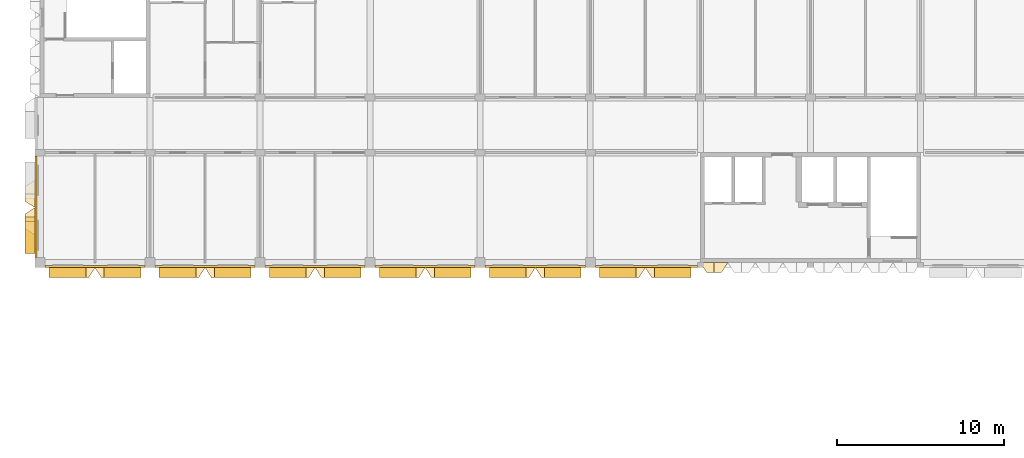
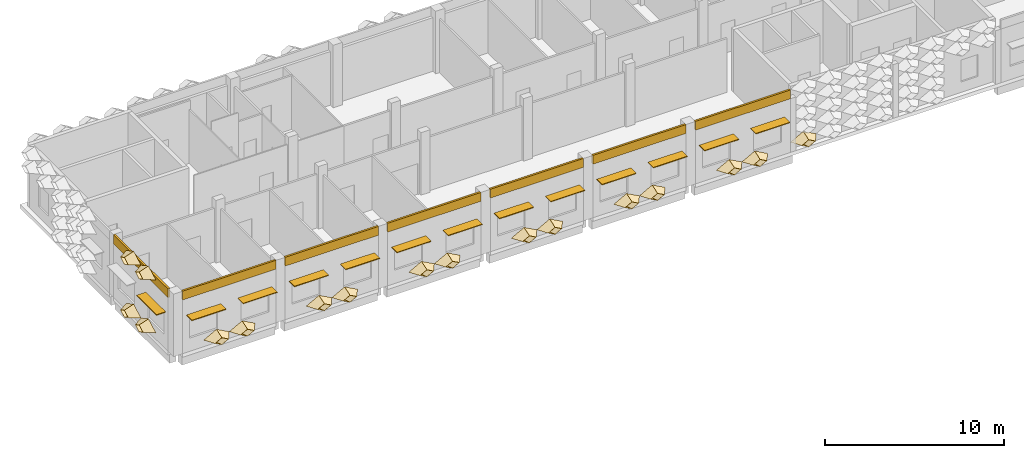
# One storey, part 71 of 85: 24 coverings, 13 shading devices.
"""IFC4 building model written with IfcOpenShell, lengths in metres."""

from ifc_helpers import new_model, entity, si_unit, direction, frame, frame_2d, origin, origin_2d, place, context, subcontext, project, spatial, rectangle, extrude, material, layer, layer_set, type_object, element, save


model = new_model("IFC4")

# Units and contexts
model_context = context("Model", 3, precision=1e-05, world=origin(), true_north=direction((0.0, 1.0)))
body_context = subcontext(model_context, "Body", "Model", "MODEL_VIEW")
ifc_project = project(units=[si_unit("LENGTHUNIT", "METRE"), si_unit("AREAUNIT", "SQUARE_METRE"), si_unit("VOLUMEUNIT", "CUBIC_METRE"), si_unit("PLANEANGLEUNIT", "RADIAN"), si_unit("MASSUNIT", "GRAM", prefix="KILO")], contexts=[model_context])

# Site, building, storey
site_placement = place(None, origin())
site = spatial("IfcSite", under=ifc_project, at=site_placement, CompositionType="ELEMENT")
building_placement = place(site_placement, origin())
building = spatial("IfcBuilding", under=site, at=building_placement, Name="Lantern Court Research Institute", CompositionType="ELEMENT")
storey_placement = place(building_placement, frame((0.0, 0.0, 18.89990234375)))
storey = spatial("IfcBuildingStorey", under=building, at=storey_placement, Name="L04", CompositionType="ELEMENT", Elevation=18.89990234375)

# Shading devices
ifc_material_1 = material(Name="Aluminium alloy 6063-T6", Category="aluminium")
ifc_layer_1 = layer(ifc_material_1, 0.050048828125)
ifc_layer_set_1 = layer_set([ifc_layer_1], Name="Aluminium alloy 6063-T6")
shading_device_type = type_object("IfcShadingDeviceType", Name="Brise-soleil blade 2200 x 600 x 50 aluminium", PredefinedType="USERDEFINED", material=ifc_layer_set_1)
for number, where, z_axis, x_axis, name in (
    (1, (1.64990234375, 81.89990234375, 2.5), (0.0, 0.0, 1.0), (-1.0, 0.0, 0.0), "Brise-soleil blade L04 S"),
    (2, (4.949951171875, 81.89990234375, 2.5), (0.0, 0.0, 1.0), (-1.0, 0.0, 0.0), "Brise-soleil blade L04 S"),
    (3, (8.25, 81.89990234375, 2.5), (0.0, 0.0, 1.0), (-1.0, 0.0, 0.0), "Brise-soleil blade L04 S"),
    (4, (11.550048828125, 81.89990234375, 2.5), (0.0, 0.0, 1.0), (-1.0, 0.0, 0.0), "Brise-soleil blade L04 S"),
    (5, (14.85009765625, 81.89990234375, 2.5), (0.0, 0.0, 1.0), (-1.0, 0.0, 0.0), "Brise-soleil blade L04 S"),
    (6, (18.14990234375, 81.89990234375, 2.5), (0.0, 0.0, 1.0), (-1.0, 0.0, 0.0), "Brise-soleil blade L04 S"),
    (7, (21.449951171875, 81.89990234375, 2.5), (0.0, 0.0, 1.0), (-1.0, 0.0, 0.0), "Brise-soleil blade L04 S"),
    (8, (24.75, 81.89990234375, 2.5), (0.0, 0.0, 1.0), (-1.0, 0.0, 0.0), "Brise-soleil blade L04 S"),
    (9, (28.050048828125, 81.89990234375, 2.5), (0.0, 0.0, 1.0), (-1.0, 0.0, 0.0), "Brise-soleil blade L04 S"),
    (10, (31.35009765625, 81.89990234375, 2.5), (0.0, 0.0, 1.0), (-1.0, 0.0, 0.0), "Brise-soleil blade L04 S"),
    (11, (34.64990234375, 81.89990234375, 2.5), (0.0, 0.0, 1.0), (-1.0, 0.0, 0.0), "Brise-soleil blade L04 S"),
    (12, (37.949951171875, 81.89990234375, 2.5), (0.0, 0.0, 1.0), (-1.0, 0.0, 0.0), "Brise-soleil blade L04 S"),
    (13, (-0.60009765625, 84.14990234375, 2.5), (0.0, 0.0, 1.0), (0.0, 1.0, 0.0), "Brise-soleil blade L04 W"),
):
    element("IfcShadingDevice", number, at=place(storey_placement, frame(where, z_axis=z_axis, x_axis=x_axis)), inside=storey, type_object=shading_device_type, Name=name, ObjectType="LOUVRE", PredefinedType="USERDEFINED", context=body_context, shape_type="SweptSolid", body=[
        extrude(rectangle(XDim=2.199951171875, YDim=0.60009765625, at=origin_2d()), origin(), (0.0, 0.0, 1.0), 0.050048828125),
    ])

# Coverings
ifc_material_2 = material(Name="Aluminium composite panel with mineral wool insulation", Category="aluminium")
ifc_layer_2 = layer(ifc_material_2, 0.125)
ifc_layer_set_2 = layer_set([ifc_layer_2], Name="Aluminium composite panel with mineral wool insulation")
covering_type_1 = type_object("IfcCoveringType", Name="Edge fascia panel 125 aluminium faced", PredefinedType="CLADDING", material=ifc_layer_set_2)
for number, where, z_axis, x_axis, name in (
    (14, (6.300048828125, 82.262451171875, 3.650146484375), (0.0, 0.0, 1.0), (-1.0, 0.0, 0.0), "Edge fascia V6S L04 01"),
    (15, (12.89990234375, 82.262451171875, 3.650146484375), (0.0, 0.0, 1.0), (-1.0, 0.0, 0.0), "Edge fascia V6S L04 02"),
    (16, (19.5, 82.262451171875, 3.650146484375), (0.0, 0.0, 1.0), (-1.0, 0.0, 0.0), "Edge fascia V6S L04 03"),
    (17, (26.10009765625, 82.262451171875, 3.650146484375), (0.0, 0.0, 1.0), (-1.0, 0.0, 0.0), "Edge fascia V6S L04 04"),
    (18, (32.699951171875, 82.262451171875, 3.650146484375), (0.0, 0.0, 1.0), (-1.0, 0.0, 0.0), "Edge fascia V6S L04 05"),
):
    element("IfcCovering", number, at=place(storey_placement, frame(where, z_axis=z_axis, x_axis=x_axis)), inside=storey, type_object=covering_type_1, Name=name, PredefinedType="CLADDING", context=body_context, shape_type="SweptSolid", body=[
        extrude(rectangle(XDim=6.0, YDim=0.125, at=frame_2d((3.0, 0.0))), origin(), (0.0, 0.0, 1.0), 0.599853515625),
    ])
covering_1_placement = place(storey_placement, frame((39.425048828125, 82.262451171875, 3.650146484375), z_axis=(0.0, 0.0, 1.0), x_axis=(-1.0, 0.0, 0.0)))
element("IfcCovering", 19, at=covering_1_placement, inside=storey, type_object=covering_type_1, Name="Edge fascia V6S L04 06", PredefinedType="CLADDING", context=body_context, shape_type="SweptSolid", body=[
    extrude(rectangle(XDim=6.125, YDim=0.125, at=frame_2d((3.0625, 0.0))), origin(), (0.0, 0.0, 1.0), 0.599853515625),
])
covering_2_placement = place(storey_placement, frame((-0.237548828125, 82.800048828125, 3.650146484375), z_axis=(0.0, 0.0, 1.0), x_axis=(0.0, 1.0, 0.0)))
element("IfcCovering", 20, at=covering_2_placement, inside=storey, type_object=covering_type_1, Name="Edge fascia V6W L04 01", PredefinedType="CLADDING", context=body_context, shape_type="SweptSolid", body=[
    extrude(rectangle(XDim=6.099853515625, YDim=0.125, at=frame_2d((3.0498046875, 0.0))), origin(), (0.0, 0.0, 1.0), 0.599853515625),
])
ifc_material_3 = material(Name="Anodised aluminium", Category="aluminium")
ifc_layer_3 = layer(ifc_material_3, 0.01611328125)
ifc_layer_set_3 = layer_set([ifc_layer_3], Name="Anodised aluminium")
covering_type_2 = type_object("IfcCoveringType", Name="Fin cassette 1650 x 900 x 600 aluminium", PredefinedType="CLADDING", material=ifc_layer_set_3)
covering_3_placement = place(storey_placement, frame((40.425048828125, 82.5, 0.4501953125), z_axis=(0.0, -1.0, 0.0), x_axis=(1.0, 0.0, 0.0)))
cartesian_point_1 = entity("IfcCartesianPoint", [0.824951171875, 0.0])
cartesian_point_2 = entity("IfcCartesianPoint", [0.79150390625, 0.0])
cartesian_point_3 = entity("IfcCartesianPoint", [0.44189453125, 0.0])
cartesian_point_4 = entity("IfcCartesianPoint", [0.43359375, 0.0])
element("IfcCovering", 21, at=covering_3_placement, inside=storey, type_object=covering_type_2, Name="Fin cassette V6S-L04 1.25", PredefinedType="CLADDING", context=body_context, shape_type="SweptSolid", body=[
    entity("IfcExtrudedAreaSolidTapered", entity("IfcArbitraryProfileDefWithVoids", "AREA", None, entity("IfcPolyline", [cartesian_point_1, entity("IfcCartesianPoint", [0.0, 0.449951171875]), entity("IfcCartesianPoint", [-0.824951171875, 0.0]), entity("IfcCartesianPoint", [0.0, -0.449951171875]), cartesian_point_1]), [entity("IfcPolyline", [cartesian_point_2, entity("IfcCartesianPoint", [0.0, 0.431884765625]), entity("IfcCartesianPoint", [-0.79150390625, 0.0]), entity("IfcCartesianPoint", [0.0, -0.431884765625]), cartesian_point_2])]), entity("IfcAxis2Placement3D", entity("IfcCartesianPoint", [0.0, 0.0, 0.0])), entity("IfcDirection", [0.0, 0.0, 1.0]), 0.60009765625, entity("IfcArbitraryProfileDefWithVoids", "AREA", None, entity("IfcPolyline", [cartesian_point_3, entity("IfcCartesianPoint", [0.0, 0.240966796875]), entity("IfcCartesianPoint", [-0.44189453125, 0.0]), entity("IfcCartesianPoint", [0.0, -0.240966796875]), cartesian_point_3]), [entity("IfcPolyline", [cartesian_point_4, entity("IfcCartesianPoint", [0.0, 0.236572265625]), entity("IfcCartesianPoint", [-0.43359375, 0.0]), entity("IfcCartesianPoint", [0.0, -0.236572265625]), cartesian_point_4])])),
])
covering_4_placement = place(storey_placement, frame((2.47509765625, 82.199951171875, 0.4501953125), z_axis=(0.0, -1.0, 0.0), x_axis=(1.0, 0.0, 0.0)))
cartesian_point_5 = entity("IfcCartesianPoint", [0.824951171875, 0.0])
cartesian_point_6 = entity("IfcCartesianPoint", [0.79150390625, 0.0])
cartesian_point_7 = entity("IfcCartesianPoint", [0.44189453125, 0.0])
cartesian_point_8 = entity("IfcCartesianPoint", [0.43359375, 0.0])
element("IfcCovering", 22, at=covering_4_placement, inside=storey, type_object=covering_type_2, Name="Fin cassette V6S-L04 1.2", PredefinedType="CLADDING", context=body_context, shape_type="SweptSolid", body=[
    entity("IfcExtrudedAreaSolidTapered", entity("IfcArbitraryProfileDefWithVoids", "AREA", None, entity("IfcPolyline", [cartesian_point_5, entity("IfcCartesianPoint", [0.0, 0.449951171875]), entity("IfcCartesianPoint", [-0.824951171875, 0.0]), entity("IfcCartesianPoint", [0.0, -0.449951171875]), cartesian_point_5]), [entity("IfcPolyline", [cartesian_point_6, entity("IfcCartesianPoint", [0.0, 0.431884765625]), entity("IfcCartesianPoint", [-0.79150390625, 0.0]), entity("IfcCartesianPoint", [0.0, -0.431884765625]), cartesian_point_6])]), entity("IfcAxis2Placement3D", entity("IfcCartesianPoint", [0.0, 0.0, 0.0])), entity("IfcDirection", [0.0, 0.0, 1.0]), 0.60009765625, entity("IfcArbitraryProfileDefWithVoids", "AREA", None, entity("IfcPolyline", [cartesian_point_7, entity("IfcCartesianPoint", [0.0, 0.240966796875]), entity("IfcCartesianPoint", [-0.44189453125, 0.0]), entity("IfcCartesianPoint", [0.0, -0.240966796875]), cartesian_point_7]), [entity("IfcPolyline", [cartesian_point_8, entity("IfcCartesianPoint", [0.0, 0.236572265625]), entity("IfcCartesianPoint", [-0.43359375, 0.0]), entity("IfcCartesianPoint", [0.0, -0.236572265625]), cartesian_point_8])])),
])
covering_5_placement = place(storey_placement, frame((4.125, 82.199951171875, 0.4501953125), z_axis=(0.0, -1.0, 0.0), x_axis=(1.0, 0.0, 0.0)))
cartesian_point_9 = entity("IfcCartesianPoint", [0.824951171875, 0.0])
cartesian_point_10 = entity("IfcCartesianPoint", [0.79150390625, 0.0])
cartesian_point_11 = entity("IfcCartesianPoint", [0.44189453125, 0.0])
cartesian_point_12 = entity("IfcCartesianPoint", [0.43359375, 0.0])
element("IfcCovering", 23, at=covering_5_placement, inside=storey, type_object=covering_type_2, Name="Fin cassette V6S-L04 1.3", PredefinedType="CLADDING", context=body_context, shape_type="SweptSolid", body=[
    entity("IfcExtrudedAreaSolidTapered", entity("IfcArbitraryProfileDefWithVoids", "AREA", None, entity("IfcPolyline", [cartesian_point_9, entity("IfcCartesianPoint", [0.0, 0.449951171875]), entity("IfcCartesianPoint", [-0.824951171875, 0.0]), entity("IfcCartesianPoint", [0.0, -0.449951171875]), cartesian_point_9]), [entity("IfcPolyline", [cartesian_point_10, entity("IfcCartesianPoint", [0.0, 0.431884765625]), entity("IfcCartesianPoint", [-0.79150390625, 0.0]), entity("IfcCartesianPoint", [0.0, -0.431884765625]), cartesian_point_10])]), entity("IfcAxis2Placement3D", entity("IfcCartesianPoint", [0.0, 0.0, 0.0])), entity("IfcDirection", [0.0, 0.0, 1.0]), 0.60009765625, entity("IfcArbitraryProfileDefWithVoids", "AREA", None, entity("IfcPolyline", [cartesian_point_11, entity("IfcCartesianPoint", [0.0, 0.240966796875]), entity("IfcCartesianPoint", [-0.44189453125, 0.0]), entity("IfcCartesianPoint", [0.0, -0.240966796875]), cartesian_point_11]), [entity("IfcPolyline", [cartesian_point_12, entity("IfcCartesianPoint", [0.0, 0.236572265625]), entity("IfcCartesianPoint", [-0.43359375, 0.0]), entity("IfcCartesianPoint", [0.0, -0.236572265625]), cartesian_point_12])])),
])
covering_6_placement = place(storey_placement, frame((9.074951171875, 82.199951171875, 0.4501953125), z_axis=(0.0, -1.0, 0.0), x_axis=(1.0, 0.0, 0.0)))
cartesian_point_13 = entity("IfcCartesianPoint", [0.824951171875, 0.0])
cartesian_point_14 = entity("IfcCartesianPoint", [0.79150390625, 0.0])
cartesian_point_15 = entity("IfcCartesianPoint", [0.44189453125, 0.0])
cartesian_point_16 = entity("IfcCartesianPoint", [0.43359375, 0.0])
element("IfcCovering", 24, at=covering_6_placement, inside=storey, type_object=covering_type_2, Name="Fin cassette V6S-L04 1.6", PredefinedType="CLADDING", context=body_context, shape_type="SweptSolid", body=[
    entity("IfcExtrudedAreaSolidTapered", entity("IfcArbitraryProfileDefWithVoids", "AREA", None, entity("IfcPolyline", [cartesian_point_13, entity("IfcCartesianPoint", [0.0, 0.449951171875]), entity("IfcCartesianPoint", [-0.824951171875, 0.0]), entity("IfcCartesianPoint", [0.0, -0.449951171875]), cartesian_point_13]), [entity("IfcPolyline", [cartesian_point_14, entity("IfcCartesianPoint", [0.0, 0.431884765625]), entity("IfcCartesianPoint", [-0.79150390625, 0.0]), entity("IfcCartesianPoint", [0.0, -0.431884765625]), cartesian_point_14])]), entity("IfcAxis2Placement3D", entity("IfcCartesianPoint", [0.0, 0.0, 0.0])), entity("IfcDirection", [0.0, 0.0, 1.0]), 0.60009765625, entity("IfcArbitraryProfileDefWithVoids", "AREA", None, entity("IfcPolyline", [cartesian_point_15, entity("IfcCartesianPoint", [0.0, 0.240966796875]), entity("IfcCartesianPoint", [-0.44189453125, 0.0]), entity("IfcCartesianPoint", [0.0, -0.240966796875]), cartesian_point_15]), [entity("IfcPolyline", [cartesian_point_16, entity("IfcCartesianPoint", [0.0, 0.236572265625]), entity("IfcCartesianPoint", [-0.43359375, 0.0]), entity("IfcCartesianPoint", [0.0, -0.236572265625]), cartesian_point_16])])),
])
covering_7_placement = place(storey_placement, frame((10.72509765625, 82.199951171875, 0.4501953125), z_axis=(0.0, -1.0, 0.0), x_axis=(1.0, 0.0, 0.0)))
cartesian_point_17 = entity("IfcCartesianPoint", [0.824951171875, 0.0])
cartesian_point_18 = entity("IfcCartesianPoint", [0.79150390625, 0.0])
cartesian_point_19 = entity("IfcCartesianPoint", [0.44189453125, 0.0])
cartesian_point_20 = entity("IfcCartesianPoint", [0.43359375, 0.0])
element("IfcCovering", 25, at=covering_7_placement, inside=storey, type_object=covering_type_2, Name="Fin cassette V6S-L04 1.7", PredefinedType="CLADDING", context=body_context, shape_type="SweptSolid", body=[
    entity("IfcExtrudedAreaSolidTapered", entity("IfcArbitraryProfileDefWithVoids", "AREA", None, entity("IfcPolyline", [cartesian_point_17, entity("IfcCartesianPoint", [0.0, 0.449951171875]), entity("IfcCartesianPoint", [-0.824951171875, 0.0]), entity("IfcCartesianPoint", [0.0, -0.449951171875]), cartesian_point_17]), [entity("IfcPolyline", [cartesian_point_18, entity("IfcCartesianPoint", [0.0, 0.431884765625]), entity("IfcCartesianPoint", [-0.79150390625, 0.0]), entity("IfcCartesianPoint", [0.0, -0.431884765625]), cartesian_point_18])]), entity("IfcAxis2Placement3D", entity("IfcCartesianPoint", [0.0, 0.0, 0.0])), entity("IfcDirection", [0.0, 0.0, 1.0]), 0.60009765625, entity("IfcArbitraryProfileDefWithVoids", "AREA", None, entity("IfcPolyline", [cartesian_point_19, entity("IfcCartesianPoint", [0.0, 0.240966796875]), entity("IfcCartesianPoint", [-0.44189453125, 0.0]), entity("IfcCartesianPoint", [0.0, -0.240966796875]), cartesian_point_19]), [entity("IfcPolyline", [cartesian_point_20, entity("IfcCartesianPoint", [0.0, 0.236572265625]), entity("IfcCartesianPoint", [-0.43359375, 0.0]), entity("IfcCartesianPoint", [0.0, -0.236572265625]), cartesian_point_20])])),
])
covering_8_placement = place(storey_placement, frame((15.675048828125, 82.199951171875, 0.4501953125), z_axis=(0.0, -1.0, 0.0), x_axis=(1.0, 0.0, 0.0)))
cartesian_point_21 = entity("IfcCartesianPoint", [0.824951171875, 0.0])
cartesian_point_22 = entity("IfcCartesianPoint", [0.79150390625, 0.0])
cartesian_point_23 = entity("IfcCartesianPoint", [0.44189453125, 0.0])
cartesian_point_24 = entity("IfcCartesianPoint", [0.43359375, 0.0])
element("IfcCovering", 26, at=covering_8_placement, inside=storey, type_object=covering_type_2, Name="Fin cassette V6S-L04 1.10", PredefinedType="CLADDING", context=body_context, shape_type="SweptSolid", body=[
    entity("IfcExtrudedAreaSolidTapered", entity("IfcArbitraryProfileDefWithVoids", "AREA", None, entity("IfcPolyline", [cartesian_point_21, entity("IfcCartesianPoint", [0.0, 0.449951171875]), entity("IfcCartesianPoint", [-0.824951171875, 0.0]), entity("IfcCartesianPoint", [0.0, -0.449951171875]), cartesian_point_21]), [entity("IfcPolyline", [cartesian_point_22, entity("IfcCartesianPoint", [0.0, 0.431884765625]), entity("IfcCartesianPoint", [-0.79150390625, 0.0]), entity("IfcCartesianPoint", [0.0, -0.431884765625]), cartesian_point_22])]), entity("IfcAxis2Placement3D", entity("IfcCartesianPoint", [0.0, 0.0, 0.0])), entity("IfcDirection", [0.0, 0.0, 1.0]), 0.60009765625, entity("IfcArbitraryProfileDefWithVoids", "AREA", None, entity("IfcPolyline", [cartesian_point_23, entity("IfcCartesianPoint", [0.0, 0.240966796875]), entity("IfcCartesianPoint", [-0.44189453125, 0.0]), entity("IfcCartesianPoint", [0.0, -0.240966796875]), cartesian_point_23]), [entity("IfcPolyline", [cartesian_point_24, entity("IfcCartesianPoint", [0.0, 0.236572265625]), entity("IfcCartesianPoint", [-0.43359375, 0.0]), entity("IfcCartesianPoint", [0.0, -0.236572265625]), cartesian_point_24])])),
])
covering_9_placement = place(storey_placement, frame((17.324951171875, 82.199951171875, 0.4501953125), z_axis=(0.0, -1.0, 0.0), x_axis=(1.0, 0.0, 0.0)))
cartesian_point_25 = entity("IfcCartesianPoint", [0.824951171875, 0.0])
cartesian_point_26 = entity("IfcCartesianPoint", [0.79150390625, 0.0])
cartesian_point_27 = entity("IfcCartesianPoint", [0.44189453125, 0.0])
cartesian_point_28 = entity("IfcCartesianPoint", [0.43359375, 0.0])
element("IfcCovering", 27, at=covering_9_placement, inside=storey, type_object=covering_type_2, Name="Fin cassette V6S-L04 1.11", PredefinedType="CLADDING", context=body_context, shape_type="SweptSolid", body=[
    entity("IfcExtrudedAreaSolidTapered", entity("IfcArbitraryProfileDefWithVoids", "AREA", None, entity("IfcPolyline", [cartesian_point_25, entity("IfcCartesianPoint", [0.0, 0.449951171875]), entity("IfcCartesianPoint", [-0.824951171875, 0.0]), entity("IfcCartesianPoint", [0.0, -0.449951171875]), cartesian_point_25]), [entity("IfcPolyline", [cartesian_point_26, entity("IfcCartesianPoint", [0.0, 0.431884765625]), entity("IfcCartesianPoint", [-0.79150390625, 0.0]), entity("IfcCartesianPoint", [0.0, -0.431884765625]), cartesian_point_26])]), entity("IfcAxis2Placement3D", entity("IfcCartesianPoint", [0.0, 0.0, 0.0])), entity("IfcDirection", [0.0, 0.0, 1.0]), 0.60009765625, entity("IfcArbitraryProfileDefWithVoids", "AREA", None, entity("IfcPolyline", [cartesian_point_27, entity("IfcCartesianPoint", [0.0, 0.240966796875]), entity("IfcCartesianPoint", [-0.44189453125, 0.0]), entity("IfcCartesianPoint", [0.0, -0.240966796875]), cartesian_point_27]), [entity("IfcPolyline", [cartesian_point_28, entity("IfcCartesianPoint", [0.0, 0.236572265625]), entity("IfcCartesianPoint", [-0.43359375, 0.0]), entity("IfcCartesianPoint", [0.0, -0.236572265625]), cartesian_point_28])])),
])
covering_10_placement = place(storey_placement, frame((22.27490234375, 82.199951171875, 0.4501953125), z_axis=(0.0, -1.0, 0.0), x_axis=(1.0, 0.0, 0.0)))
cartesian_point_29 = entity("IfcCartesianPoint", [0.824951171875, 0.0])
cartesian_point_30 = entity("IfcCartesianPoint", [0.79150390625, 0.0])
cartesian_point_31 = entity("IfcCartesianPoint", [0.44189453125, 0.0])
cartesian_point_32 = entity("IfcCartesianPoint", [0.43359375, 0.0])
element("IfcCovering", 28, at=covering_10_placement, inside=storey, type_object=covering_type_2, Name="Fin cassette V6S-L04 1.14", PredefinedType="CLADDING", context=body_context, shape_type="SweptSolid", body=[
    entity("IfcExtrudedAreaSolidTapered", entity("IfcArbitraryProfileDefWithVoids", "AREA", None, entity("IfcPolyline", [cartesian_point_29, entity("IfcCartesianPoint", [0.0, 0.449951171875]), entity("IfcCartesianPoint", [-0.824951171875, 0.0]), entity("IfcCartesianPoint", [0.0, -0.449951171875]), cartesian_point_29]), [entity("IfcPolyline", [cartesian_point_30, entity("IfcCartesianPoint", [0.0, 0.431884765625]), entity("IfcCartesianPoint", [-0.79150390625, 0.0]), entity("IfcCartesianPoint", [0.0, -0.431884765625]), cartesian_point_30])]), entity("IfcAxis2Placement3D", entity("IfcCartesianPoint", [0.0, 0.0, 0.0])), entity("IfcDirection", [0.0, 0.0, 1.0]), 0.60009765625, entity("IfcArbitraryProfileDefWithVoids", "AREA", None, entity("IfcPolyline", [cartesian_point_31, entity("IfcCartesianPoint", [0.0, 0.240966796875]), entity("IfcCartesianPoint", [-0.44189453125, 0.0]), entity("IfcCartesianPoint", [0.0, -0.240966796875]), cartesian_point_31]), [entity("IfcPolyline", [cartesian_point_32, entity("IfcCartesianPoint", [0.0, 0.236572265625]), entity("IfcCartesianPoint", [-0.43359375, 0.0]), entity("IfcCartesianPoint", [0.0, -0.236572265625]), cartesian_point_32])])),
])
covering_11_placement = place(storey_placement, frame((23.925048828125, 82.199951171875, 0.4501953125), z_axis=(0.0, -1.0, 0.0), x_axis=(1.0, 0.0, 0.0)))
cartesian_point_33 = entity("IfcCartesianPoint", [0.824951171875, 0.0])
cartesian_point_34 = entity("IfcCartesianPoint", [0.79150390625, 0.0])
cartesian_point_35 = entity("IfcCartesianPoint", [0.44189453125, 0.0])
cartesian_point_36 = entity("IfcCartesianPoint", [0.43359375, 0.0])
element("IfcCovering", 29, at=covering_11_placement, inside=storey, type_object=covering_type_2, Name="Fin cassette V6S-L04 1.15", PredefinedType="CLADDING", context=body_context, shape_type="SweptSolid", body=[
    entity("IfcExtrudedAreaSolidTapered", entity("IfcArbitraryProfileDefWithVoids", "AREA", None, entity("IfcPolyline", [cartesian_point_33, entity("IfcCartesianPoint", [0.0, 0.449951171875]), entity("IfcCartesianPoint", [-0.824951171875, 0.0]), entity("IfcCartesianPoint", [0.0, -0.449951171875]), cartesian_point_33]), [entity("IfcPolyline", [cartesian_point_34, entity("IfcCartesianPoint", [0.0, 0.431884765625]), entity("IfcCartesianPoint", [-0.79150390625, 0.0]), entity("IfcCartesianPoint", [0.0, -0.431884765625]), cartesian_point_34])]), entity("IfcAxis2Placement3D", entity("IfcCartesianPoint", [0.0, 0.0, 0.0])), entity("IfcDirection", [0.0, 0.0, 1.0]), 0.60009765625, entity("IfcArbitraryProfileDefWithVoids", "AREA", None, entity("IfcPolyline", [cartesian_point_35, entity("IfcCartesianPoint", [0.0, 0.240966796875]), entity("IfcCartesianPoint", [-0.44189453125, 0.0]), entity("IfcCartesianPoint", [0.0, -0.240966796875]), cartesian_point_35]), [entity("IfcPolyline", [cartesian_point_36, entity("IfcCartesianPoint", [0.0, 0.236572265625]), entity("IfcCartesianPoint", [-0.43359375, 0.0]), entity("IfcCartesianPoint", [0.0, -0.236572265625]), cartesian_point_36])])),
])
covering_12_placement = place(storey_placement, frame((28.875, 82.199951171875, 0.4501953125), z_axis=(0.0, -1.0, 0.0), x_axis=(1.0, 0.0, 0.0)))
cartesian_point_37 = entity("IfcCartesianPoint", [0.824951171875, 0.0])
cartesian_point_38 = entity("IfcCartesianPoint", [0.79150390625, 0.0])
cartesian_point_39 = entity("IfcCartesianPoint", [0.44189453125, 0.0])
cartesian_point_40 = entity("IfcCartesianPoint", [0.43359375, 0.0])
element("IfcCovering", 30, at=covering_12_placement, inside=storey, type_object=covering_type_2, Name="Fin cassette V6S-L04 1.18", PredefinedType="CLADDING", context=body_context, shape_type="SweptSolid", body=[
    entity("IfcExtrudedAreaSolidTapered", entity("IfcArbitraryProfileDefWithVoids", "AREA", None, entity("IfcPolyline", [cartesian_point_37, entity("IfcCartesianPoint", [0.0, 0.449951171875]), entity("IfcCartesianPoint", [-0.824951171875, 0.0]), entity("IfcCartesianPoint", [0.0, -0.449951171875]), cartesian_point_37]), [entity("IfcPolyline", [cartesian_point_38, entity("IfcCartesianPoint", [0.0, 0.431884765625]), entity("IfcCartesianPoint", [-0.79150390625, 0.0]), entity("IfcCartesianPoint", [0.0, -0.431884765625]), cartesian_point_38])]), entity("IfcAxis2Placement3D", entity("IfcCartesianPoint", [0.0, 0.0, 0.0])), entity("IfcDirection", [0.0, 0.0, 1.0]), 0.60009765625, entity("IfcArbitraryProfileDefWithVoids", "AREA", None, entity("IfcPolyline", [cartesian_point_39, entity("IfcCartesianPoint", [0.0, 0.240966796875]), entity("IfcCartesianPoint", [-0.44189453125, 0.0]), entity("IfcCartesianPoint", [0.0, -0.240966796875]), cartesian_point_39]), [entity("IfcPolyline", [cartesian_point_40, entity("IfcCartesianPoint", [0.0, 0.236572265625]), entity("IfcCartesianPoint", [-0.43359375, 0.0]), entity("IfcCartesianPoint", [0.0, -0.236572265625]), cartesian_point_40])])),
])
covering_13_placement = place(storey_placement, frame((30.52490234375, 82.199951171875, 0.4501953125), z_axis=(0.0, -1.0, 0.0), x_axis=(1.0, 0.0, 0.0)))
cartesian_point_41 = entity("IfcCartesianPoint", [0.824951171875, 0.0])
cartesian_point_42 = entity("IfcCartesianPoint", [0.79150390625, 0.0])
cartesian_point_43 = entity("IfcCartesianPoint", [0.44189453125, 0.0])
cartesian_point_44 = entity("IfcCartesianPoint", [0.43359375, 0.0])
element("IfcCovering", 31, at=covering_13_placement, inside=storey, type_object=covering_type_2, Name="Fin cassette V6S-L04 1.19", PredefinedType="CLADDING", context=body_context, shape_type="SweptSolid", body=[
    entity("IfcExtrudedAreaSolidTapered", entity("IfcArbitraryProfileDefWithVoids", "AREA", None, entity("IfcPolyline", [cartesian_point_41, entity("IfcCartesianPoint", [0.0, 0.449951171875]), entity("IfcCartesianPoint", [-0.824951171875, 0.0]), entity("IfcCartesianPoint", [0.0, -0.449951171875]), cartesian_point_41]), [entity("IfcPolyline", [cartesian_point_42, entity("IfcCartesianPoint", [0.0, 0.431884765625]), entity("IfcCartesianPoint", [-0.79150390625, 0.0]), entity("IfcCartesianPoint", [0.0, -0.431884765625]), cartesian_point_42])]), entity("IfcAxis2Placement3D", entity("IfcCartesianPoint", [0.0, 0.0, 0.0])), entity("IfcDirection", [0.0, 0.0, 1.0]), 0.60009765625, entity("IfcArbitraryProfileDefWithVoids", "AREA", None, entity("IfcPolyline", [cartesian_point_43, entity("IfcCartesianPoint", [0.0, 0.240966796875]), entity("IfcCartesianPoint", [-0.44189453125, 0.0]), entity("IfcCartesianPoint", [0.0, -0.240966796875]), cartesian_point_43]), [entity("IfcPolyline", [cartesian_point_44, entity("IfcCartesianPoint", [0.0, 0.236572265625]), entity("IfcCartesianPoint", [-0.43359375, 0.0]), entity("IfcCartesianPoint", [0.0, -0.236572265625]), cartesian_point_44])])),
])
covering_14_placement = place(storey_placement, frame((35.47509765625, 82.199951171875, 0.4501953125), z_axis=(0.0, -1.0, 0.0), x_axis=(1.0, 0.0, 0.0)))
cartesian_point_45 = entity("IfcCartesianPoint", [0.824951171875, 0.0])
cartesian_point_46 = entity("IfcCartesianPoint", [0.79150390625, 0.0])
cartesian_point_47 = entity("IfcCartesianPoint", [0.44189453125, 0.0])
cartesian_point_48 = entity("IfcCartesianPoint", [0.43359375, 0.0])
element("IfcCovering", 32, at=covering_14_placement, inside=storey, type_object=covering_type_2, Name="Fin cassette V6S-L04 1.22", PredefinedType="CLADDING", context=body_context, shape_type="SweptSolid", body=[
    entity("IfcExtrudedAreaSolidTapered", entity("IfcArbitraryProfileDefWithVoids", "AREA", None, entity("IfcPolyline", [cartesian_point_45, entity("IfcCartesianPoint", [0.0, 0.449951171875]), entity("IfcCartesianPoint", [-0.824951171875, 0.0]), entity("IfcCartesianPoint", [0.0, -0.449951171875]), cartesian_point_45]), [entity("IfcPolyline", [cartesian_point_46, entity("IfcCartesianPoint", [0.0, 0.431884765625]), entity("IfcCartesianPoint", [-0.79150390625, 0.0]), entity("IfcCartesianPoint", [0.0, -0.431884765625]), cartesian_point_46])]), entity("IfcAxis2Placement3D", entity("IfcCartesianPoint", [0.0, 0.0, 0.0])), entity("IfcDirection", [0.0, 0.0, 1.0]), 0.60009765625, entity("IfcArbitraryProfileDefWithVoids", "AREA", None, entity("IfcPolyline", [cartesian_point_47, entity("IfcCartesianPoint", [0.0, 0.240966796875]), entity("IfcCartesianPoint", [-0.44189453125, 0.0]), entity("IfcCartesianPoint", [0.0, -0.240966796875]), cartesian_point_47]), [entity("IfcPolyline", [cartesian_point_48, entity("IfcCartesianPoint", [0.0, 0.236572265625]), entity("IfcCartesianPoint", [-0.43359375, 0.0]), entity("IfcCartesianPoint", [0.0, -0.236572265625]), cartesian_point_48])])),
])
covering_15_placement = place(storey_placement, frame((37.125, 82.199951171875, 0.4501953125), z_axis=(0.0, -1.0, 0.0), x_axis=(1.0, 0.0, 0.0)))
cartesian_point_49 = entity("IfcCartesianPoint", [0.824951171875, 0.0])
cartesian_point_50 = entity("IfcCartesianPoint", [0.79150390625, 0.0])
cartesian_point_51 = entity("IfcCartesianPoint", [0.44189453125, 0.0])
cartesian_point_52 = entity("IfcCartesianPoint", [0.43359375, 0.0])
element("IfcCovering", 33, at=covering_15_placement, inside=storey, type_object=covering_type_2, Name="Fin cassette V6S-L04 1.23", PredefinedType="CLADDING", context=body_context, shape_type="SweptSolid", body=[
    entity("IfcExtrudedAreaSolidTapered", entity("IfcArbitraryProfileDefWithVoids", "AREA", None, entity("IfcPolyline", [cartesian_point_49, entity("IfcCartesianPoint", [0.0, 0.449951171875]), entity("IfcCartesianPoint", [-0.824951171875, 0.0]), entity("IfcCartesianPoint", [0.0, -0.449951171875]), cartesian_point_49]), [entity("IfcPolyline", [cartesian_point_50, entity("IfcCartesianPoint", [0.0, 0.431884765625]), entity("IfcCartesianPoint", [-0.79150390625, 0.0]), entity("IfcCartesianPoint", [0.0, -0.431884765625]), cartesian_point_50])]), entity("IfcAxis2Placement3D", entity("IfcCartesianPoint", [0.0, 0.0, 0.0])), entity("IfcDirection", [0.0, 0.0, 1.0]), 0.60009765625, entity("IfcArbitraryProfileDefWithVoids", "AREA", None, entity("IfcPolyline", [cartesian_point_51, entity("IfcCartesianPoint", [0.0, 0.240966796875]), entity("IfcCartesianPoint", [-0.44189453125, 0.0]), entity("IfcCartesianPoint", [0.0, -0.240966796875]), cartesian_point_51]), [entity("IfcPolyline", [cartesian_point_52, entity("IfcCartesianPoint", [0.0, 0.236572265625]), entity("IfcCartesianPoint", [-0.43359375, 0.0]), entity("IfcCartesianPoint", [0.0, -0.236572265625]), cartesian_point_52])])),
])
covering_16_placement = place(storey_placement, frame((-0.300048828125, 84.97509765625, 0.4501953125), z_axis=(-1.0, 0.0, 0.0), x_axis=(0.0, -1.0, 0.0)))
cartesian_point_53 = entity("IfcCartesianPoint", [0.824951171875, 0.0])
cartesian_point_54 = entity("IfcCartesianPoint", [0.79150390625, 0.0])
cartesian_point_55 = entity("IfcCartesianPoint", [0.44189453125, 0.0])
cartesian_point_56 = entity("IfcCartesianPoint", [0.43359375, 0.0])
element("IfcCovering", 34, at=covering_16_placement, inside=storey, type_object=covering_type_2, Name="Fin cassette V6W-L04 1.52", PredefinedType="CLADDING", context=body_context, shape_type="SweptSolid", body=[
    entity("IfcExtrudedAreaSolidTapered", entity("IfcArbitraryProfileDefWithVoids", "AREA", None, entity("IfcPolyline", [cartesian_point_53, entity("IfcCartesianPoint", [0.0, 0.449951171875]), entity("IfcCartesianPoint", [-0.824951171875, 0.0]), entity("IfcCartesianPoint", [0.0, -0.449951171875]), cartesian_point_53]), [entity("IfcPolyline", [cartesian_point_54, entity("IfcCartesianPoint", [0.0, 0.431884765625]), entity("IfcCartesianPoint", [-0.79150390625, 0.0]), entity("IfcCartesianPoint", [0.0, -0.431884765625]), cartesian_point_54])]), entity("IfcAxis2Placement3D", entity("IfcCartesianPoint", [0.0, 0.0, 0.0])), entity("IfcDirection", [0.0, 0.0, 1.0]), 0.60009765625, entity("IfcArbitraryProfileDefWithVoids", "AREA", None, entity("IfcPolyline", [cartesian_point_55, entity("IfcCartesianPoint", [0.0, 0.240966796875]), entity("IfcCartesianPoint", [-0.44189453125, 0.0]), entity("IfcCartesianPoint", [0.0, -0.240966796875]), cartesian_point_55]), [entity("IfcPolyline", [cartesian_point_56, entity("IfcCartesianPoint", [0.0, 0.236572265625]), entity("IfcCartesianPoint", [-0.43359375, 0.0]), entity("IfcCartesianPoint", [0.0, -0.236572265625]), cartesian_point_56])])),
])
covering_17_placement = place(storey_placement, frame((-0.300048828125, 86.625, 0.4501953125), z_axis=(-1.0, 0.0, 0.0), x_axis=(0.0, -1.0, 0.0)))
cartesian_point_57 = entity("IfcCartesianPoint", [0.824951171875, 0.0])
cartesian_point_58 = entity("IfcCartesianPoint", [0.79150390625, 0.0])
cartesian_point_59 = entity("IfcCartesianPoint", [0.44189453125, 0.0])
cartesian_point_60 = entity("IfcCartesianPoint", [0.43359375, 0.0])
element("IfcCovering", 35, at=covering_17_placement, inside=storey, type_object=covering_type_2, Name="Fin cassette V6W-L04 1.53", PredefinedType="CLADDING", context=body_context, shape_type="SweptSolid", body=[
    entity("IfcExtrudedAreaSolidTapered", entity("IfcArbitraryProfileDefWithVoids", "AREA", None, entity("IfcPolyline", [cartesian_point_57, entity("IfcCartesianPoint", [0.0, 0.449951171875]), entity("IfcCartesianPoint", [-0.824951171875, 0.0]), entity("IfcCartesianPoint", [0.0, -0.449951171875]), cartesian_point_57]), [entity("IfcPolyline", [cartesian_point_58, entity("IfcCartesianPoint", [0.0, 0.431884765625]), entity("IfcCartesianPoint", [-0.79150390625, 0.0]), entity("IfcCartesianPoint", [0.0, -0.431884765625]), cartesian_point_58])]), entity("IfcAxis2Placement3D", entity("IfcCartesianPoint", [0.0, 0.0, 0.0])), entity("IfcDirection", [0.0, 0.0, 1.0]), 0.60009765625, entity("IfcArbitraryProfileDefWithVoids", "AREA", None, entity("IfcPolyline", [cartesian_point_59, entity("IfcCartesianPoint", [0.0, 0.240966796875]), entity("IfcCartesianPoint", [-0.44189453125, 0.0]), entity("IfcCartesianPoint", [0.0, -0.240966796875]), cartesian_point_59]), [entity("IfcPolyline", [cartesian_point_60, entity("IfcCartesianPoint", [0.0, 0.236572265625]), entity("IfcCartesianPoint", [-0.43359375, 0.0]), entity("IfcCartesianPoint", [0.0, -0.236572265625]), cartesian_point_60])])),
])
covering_18_placement = place(storey_placement, frame((-0.300048828125, 84.97509765625, 4.050048828125), z_axis=(-1.0, 0.0, 0.0), x_axis=(0.0, -1.0, 0.0)))
cartesian_point_61 = entity("IfcCartesianPoint", [0.824951171875, 0.0])
cartesian_point_62 = entity("IfcCartesianPoint", [0.79150390625, 0.0])
cartesian_point_63 = entity("IfcCartesianPoint", [0.44189453125, 0.0])
cartesian_point_64 = entity("IfcCartesianPoint", [0.43359375, 0.0])
element("IfcCovering", 36, at=covering_18_placement, inside=storey, type_object=covering_type_2, Name="Fin cassette V6W-L04 5.52", PredefinedType="CLADDING", context=body_context, shape_type="SweptSolid", body=[
    entity("IfcExtrudedAreaSolidTapered", entity("IfcArbitraryProfileDefWithVoids", "AREA", None, entity("IfcPolyline", [cartesian_point_61, entity("IfcCartesianPoint", [0.0, 0.449951171875]), entity("IfcCartesianPoint", [-0.824951171875, 0.0]), entity("IfcCartesianPoint", [0.0, -0.449951171875]), cartesian_point_61]), [entity("IfcPolyline", [cartesian_point_62, entity("IfcCartesianPoint", [0.0, 0.431884765625]), entity("IfcCartesianPoint", [-0.79150390625, 0.0]), entity("IfcCartesianPoint", [0.0, -0.431884765625]), cartesian_point_62])]), entity("IfcAxis2Placement3D", entity("IfcCartesianPoint", [0.0, 0.0, 0.0])), entity("IfcDirection", [0.0, 0.0, 1.0]), 0.60009765625, entity("IfcArbitraryProfileDefWithVoids", "AREA", None, entity("IfcPolyline", [cartesian_point_63, entity("IfcCartesianPoint", [0.0, 0.240966796875]), entity("IfcCartesianPoint", [-0.44189453125, 0.0]), entity("IfcCartesianPoint", [0.0, -0.240966796875]), cartesian_point_63]), [entity("IfcPolyline", [cartesian_point_64, entity("IfcCartesianPoint", [0.0, 0.236572265625]), entity("IfcCartesianPoint", [-0.43359375, 0.0]), entity("IfcCartesianPoint", [0.0, -0.236572265625]), cartesian_point_64])])),
])
covering_19_placement = place(storey_placement, frame((-0.300048828125, 86.625, 4.050048828125), z_axis=(-1.0, 0.0, 0.0), x_axis=(0.0, -1.0, 0.0)))
cartesian_point_65 = entity("IfcCartesianPoint", [0.824951171875, 0.0])
cartesian_point_66 = entity("IfcCartesianPoint", [0.79150390625, 0.0])
cartesian_point_67 = entity("IfcCartesianPoint", [0.44189453125, 0.0])
cartesian_point_68 = entity("IfcCartesianPoint", [0.43359375, 0.0])
element("IfcCovering", 37, at=covering_19_placement, inside=storey, type_object=covering_type_2, Name="Fin cassette V6W-L04 5.53", PredefinedType="CLADDING", context=body_context, shape_type="SweptSolid", body=[
    entity("IfcExtrudedAreaSolidTapered", entity("IfcArbitraryProfileDefWithVoids", "AREA", None, entity("IfcPolyline", [cartesian_point_65, entity("IfcCartesianPoint", [0.0, 0.449951171875]), entity("IfcCartesianPoint", [-0.824951171875, 0.0]), entity("IfcCartesianPoint", [0.0, -0.449951171875]), cartesian_point_65]), [entity("IfcPolyline", [cartesian_point_66, entity("IfcCartesianPoint", [0.0, 0.431884765625]), entity("IfcCartesianPoint", [-0.79150390625, 0.0]), entity("IfcCartesianPoint", [0.0, -0.431884765625]), cartesian_point_66])]), entity("IfcAxis2Placement3D", entity("IfcCartesianPoint", [0.0, 0.0, 0.0])), entity("IfcDirection", [0.0, 0.0, 1.0]), 0.60009765625, entity("IfcArbitraryProfileDefWithVoids", "AREA", None, entity("IfcPolyline", [cartesian_point_67, entity("IfcCartesianPoint", [0.0, 0.240966796875]), entity("IfcCartesianPoint", [-0.44189453125, 0.0]), entity("IfcCartesianPoint", [0.0, -0.240966796875]), cartesian_point_67]), [entity("IfcPolyline", [cartesian_point_68, entity("IfcCartesianPoint", [0.0, 0.236572265625]), entity("IfcCartesianPoint", [-0.43359375, 0.0]), entity("IfcCartesianPoint", [0.0, -0.236572265625]), cartesian_point_68])])),
])

save(model, "model.ifc")
